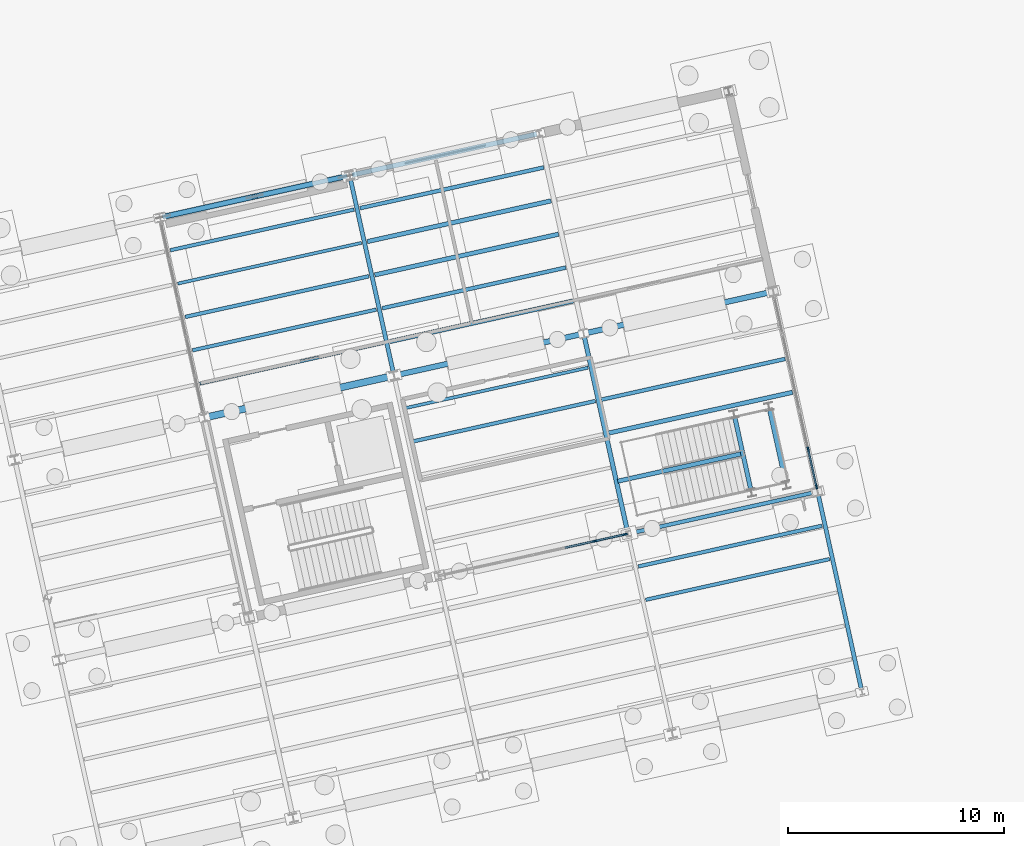
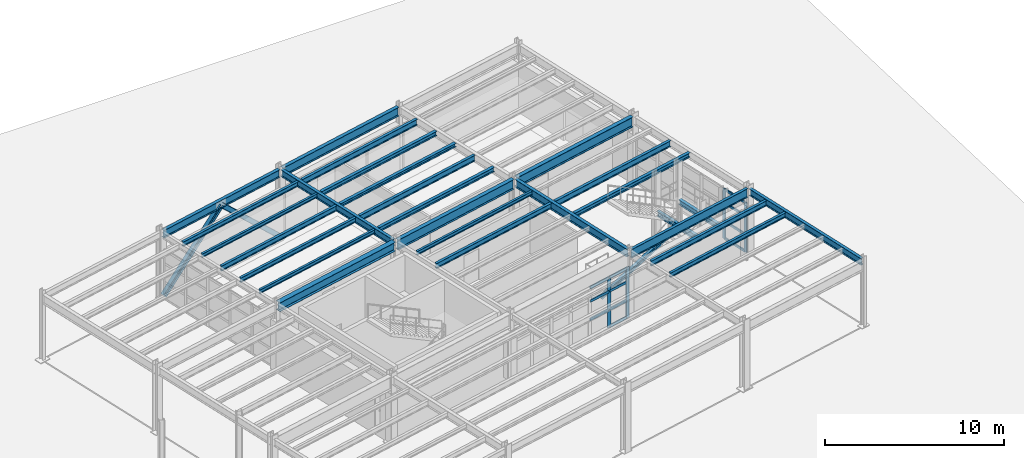
# One storey, part 58 of 108: 27 beams, 18 members, 2 elements without a shape of their own.
"""IFC4 building model written with IfcOpenShell, lengths in metres."""

from ifc_helpers import new_model, si_unit, direction, frame, origin, origin_2d, place, context, subcontext, project, spatial, rectangle, i_section, extrude, material, layer, layer_set, material_profile, profile_set, type_object, element, aggregate, save


model = new_model("IFC4")

# Units and contexts
model_context = context("Model", 3, precision=1e-05, world=origin(), true_north=direction((0.0, 1.0)))
body_context = subcontext(model_context, "Body", "Model", "MODEL_VIEW")
ifc_project = project(units=[si_unit("LENGTHUNIT", "METRE"), si_unit("AREAUNIT", "SQUARE_METRE"), si_unit("VOLUMEUNIT", "CUBIC_METRE"), si_unit("PLANEANGLEUNIT", "RADIAN"), si_unit("MASSUNIT", "GRAM", prefix="KILO")], contexts=[model_context])

# Site, building, storey
site_placement = place(None, origin())
site = spatial("IfcSite", under=ifc_project, at=site_placement, CompositionType="ELEMENT")
building_placement = place(site_placement, origin())
building = spatial("IfcBuilding", under=site, at=building_placement, Name="Vireo Bluff Cable Station", CompositionType="ELEMENT")
storey_placement = place(building_placement, origin())
storey = spatial("IfcBuildingStorey", under=building, at=storey_placement, Name="L00", CompositionType="ELEMENT", Elevation=0.0)

# Beams
ifc_material_1 = material(Name="Steel ASTM A992 Gr. 50", Category="steel")
ifc_material_profile_1 = material_profile(ifc_material_1, i_section(OverallWidth=0.2041015625, OverallDepth=0.35009765625, WebThickness=0.008544921875, FlangeThickness=0.01513671875, FilletRadius=0.010009765625, at=origin_2d()), Name="W14X48")
ifc_profile_set_1 = profile_set([ifc_material_profile_1], Name="Steel ASTM A992 Gr. 50")
beam_type_1 = type_object("IfcBeamType", Name="BM-W14X48", PredefinedType="BEAM", material=ifc_profile_set_1)
beam_1_placement = place(storey_placement, frame((155.9970703125, 91.159423828125, 2.02490234375), z_axis=(-0.216464522971, 0.976290484587, 0.0), x_axis=(-0.976290484587, -0.216464522971, 0.0)))
element("IfcBeam", 1, at=beam_1_placement, inside=storey, type_object=beam_type_1, Name="ST-09 L00 landing header beam N", PredefinedType="BEAM", context=body_context, shape_type="SweptSolid", body=[
    extrude(i_section(OverallWidth=0.2041015625, OverallDepth=0.35009765625, WebThickness=0.008544921875, FlangeThickness=0.01513671875, FilletRadius=0.010009765625, at=origin_2d()), origin(), (0.0, 0.0, 1.0), 3.43994140625),
])
beam_2_placement = place(storey_placement, frame((157.60791015625, 91.516357421875, 2.02490234375), z_axis=(-0.216381881536, 0.976308804294, 0.0), x_axis=(-0.976308804294, -0.216381881536, 0.0)))
element("IfcBeam", 2, at=beam_2_placement, inside=storey, type_object=beam_type_1, Name="ST-09 L00 landing header beam F", PredefinedType="BEAM", context=body_context, shape_type="SweptSolid", body=[
    extrude(i_section(OverallWidth=0.2041015625, OverallDepth=0.35009765625, WebThickness=0.008544921875, FlangeThickness=0.01513671875, FilletRadius=0.010009765625, at=origin_2d()), origin(), (0.0, 0.0, 1.0), 3.440185546875),
])
ifc_material_profile_2 = material_profile(ifc_material_1, i_section(OverallWidth=0.193115234375, OverallDepth=0.467041015625, WebThickness=0.011474609375, FlangeThickness=0.01904296875, FilletRadius=0.011962890625, at=origin_2d()), Name="W18X65")
ifc_profile_set_2 = profile_set([ifc_material_profile_2], Name="Steel ASTM A992 Gr. 50")
beam_type_2 = type_object("IfcBeamType", Name="BM-W18X65", PredefinedType="BEAM", material=ifc_profile_set_2)
beam_3_placement = place(storey_placement, frame((139.43505859375, 96.562744140625, 4.306396484375), z_axis=(-0.216455863908, 0.976292404447, 0.0), x_axis=(-0.976292404447, -0.216455863908, 0.0)))
element("IfcBeam", 3, at=beam_3_placement, inside=storey, type_object=beam_type_2, Name="V2 L00 beam 380", PredefinedType="BEAM", context=body_context, shape_type="SweptSolid", body=[
    extrude(i_section(OverallWidth=0.193115234375, OverallDepth=0.467041015625, WebThickness=0.011474609375, FlangeThickness=0.01904296875, FilletRadius=0.011962890625, at=origin_2d()), origin(), (0.0, 0.0, 1.0), 9.260009765625),
])
ifc_material_profile_3 = material_profile(ifc_material_1, i_section(OverallWidth=0.2099609375, OverallDepth=0.535888671875, WebThickness=0.010986328125, FlangeThickness=0.017333984375, FilletRadius=0.012939453125, at=origin_2d()), Name="W21X68")
ifc_profile_set_3 = profile_set([ifc_material_profile_3], Name="Steel ASTM A992 Gr. 50")
beam_type_3 = type_object("IfcBeamType", Name="BM-W21X68", PredefinedType="BEAM", material=ifc_profile_set_3)
beam_4_placement = place(storey_placement, frame((150.27783203125, 89.23583984375, 4.27197265625), z_axis=(-0.216430734067, 0.976297975698, 0.0), x_axis=(-0.976297975698, -0.216430734067, 0.0)))
element("IfcBeam", 4, at=beam_4_placement, inside=storey, type_object=beam_type_3, Name="V2 L00 beam 382", PredefinedType="BEAM", context=body_context, shape_type="SweptSolid", body=[
    extrude(i_section(OverallWidth=0.2099609375, OverallDepth=0.535888671875, WebThickness=0.010986328125, FlangeThickness=0.017333984375, FilletRadius=0.012939453125, at=origin_2d()), origin(), (0.0, 0.0, 1.0), 9.260009765625),
])

# Members
ifc_material_profile_4 = material_profile(ifc_material_1, i_section(OverallWidth=0.25390625, OverallDepth=0.305908203125, WebThickness=0.0087890625, FlangeThickness=0.0146484375, FilletRadius=0.010986328125, at=origin_2d()), Name="W12X53")
ifc_profile_set_4 = profile_set([ifc_material_profile_4], Name="Steel ASTM A992 Gr. 50")
member_type_1 = type_object("IfcMemberType", Name="BRC-04", PredefinedType="BRACE", material=ifc_profile_set_4)
member_1_placement = place(storey_placement, frame((128.7744140625, 103.80712890625, 0.0400390625), z_axis=(0.706436753261, 0.156592462679, 0.69023612936), x_axis=(-0.216412221259, 0.976302079528, 0.0)))
element("IfcMember", 5, at=member_1_placement, inside=storey, type_object=member_type_1, Name="V2 L00 concentric brace 27L", PredefinedType="BRACE", context=body_context, shape_type="SweptSolid", body=[
    extrude(i_section(OverallWidth=0.25390625, OverallDepth=0.305908203125, WebThickness=0.0087890625, FlangeThickness=0.0146484375, FilletRadius=0.010986328125, at=origin_2d()), origin(), (0.0, 0.0, 1.0), 5.997802734375),
])
ifc_material_profile_5 = material_profile(ifc_material_1, i_section(OverallWidth=0.25390625, OverallDepth=0.31005859375, WebThickness=0.009033203125, FlangeThickness=0.016357421875, FilletRadius=0.010986328125, at=origin_2d()), Name="W12X58")
ifc_profile_set_5 = profile_set([ifc_material_profile_5], Name="Steel ASTM A992 Gr. 50")
member_type_2 = type_object("IfcMemberType", Name="BRC-05", PredefinedType="BRACE", material=ifc_profile_set_5)
member_2_placement = place(storey_placement, frame((137.24853515625, 105.685791015625, 0.0400390625), z_axis=(-0.706432249814, -0.156632169247, 0.69023172919), x_axis=(0.216465840429, -0.976290192477, 0.0)))
element("IfcMember", 6, at=member_2_placement, inside=storey, type_object=member_type_2, Name="V2 L00 concentric brace 28R", PredefinedType="BRACE", context=body_context, shape_type="SweptSolid", body=[
    extrude(i_section(OverallWidth=0.25390625, OverallDepth=0.31005859375, WebThickness=0.009033203125, FlangeThickness=0.016357421875, FilletRadius=0.010986328125, at=origin_2d()), origin(), (0.0, 0.0, 1.0), 5.997802734375),
])

# Curtain wall, members
ifc_material_2 = material(Name="Anodized Aluminium 6063-T6", Category="aluminium")
ifc_layer_1 = layer(ifc_material_2, 0.159912109375, Name="Anodized Aluminium 6063-T6")
ifc_layer_set_1 = layer_set([ifc_layer_1], Name="Anodized Aluminium 6063-T6")
curtain_wall_type_1 = type_object("IfcCurtainWallType", Name="CW-STICK-1850", PredefinedType="USERDEFINED", material=ifc_layer_set_1)
curtain_wall_1_placement = place(storey_placement, origin())
curtain_wall_1 = element("IfcCurtainWall", 7, at=curtain_wall_1_placement, inside=storey, type_object=curtain_wall_type_1, Name="V2 L00 east curtain wall CW-041", ObjectType="STICK CURTAIN WALL", PredefinedType="USERDEFINED")
ifc_material_profile_6 = material_profile(ifc_material_2, rectangle(XDim=0.074951171875, YDim=0.2099609375, at=origin_2d()), Name="ALU-M-75X210")
ifc_profile_set_6 = profile_set([ifc_material_profile_6], Name="Anodized Aluminium 6063-T6")
member_type_3 = type_object("IfcMemberType", Name="CWM-02", PredefinedType="MULLION", material=ifc_profile_set_6)
member_3_placement = place(storey_placement, frame((158.653076171875, 93.03955078125, 0.0), z_axis=(0.0, 0.0, 1.0), x_axis=(0.976296012171, 0.216439591156, 0.0)))
member_3 = element("IfcMember", 8, at=member_3_placement, type_object=member_type_3, Name="CW-041 mullion 5", PredefinedType="MULLION", context=body_context, shape_type="SweptSolid", body=[
    extrude(rectangle(XDim=0.074951171875, YDim=0.2099609375, at=origin_2d()), origin(), (0.0, 0.0, 1.0), 3.39990234375),
])
member_4_placement = place(storey_placement, frame((159.038818359375, 91.300048828125, 0.0), z_axis=(0.0, 0.0, 1.0), x_axis=(0.976296012171, 0.216439591156, 0.0)))
member_4 = element("IfcMember", 9, at=member_4_placement, type_object=member_type_3, Name="CW-041 mullion 6", PredefinedType="MULLION", context=body_context, shape_type="SweptSolid", body=[
    extrude(rectangle(XDim=0.074951171875, YDim=0.2099609375, at=origin_2d()), origin(), (0.0, 0.0, 1.0), 3.39990234375),
])

ifc_layer_2 = layer(ifc_material_2, 0.179931640625, Name="Anodized Aluminium 6063-T6")
ifc_layer_set_2 = layer_set([ifc_layer_2], Name="Anodized Aluminium 6063-T6")
curtain_wall_type_2 = type_object("IfcCurtainWallType", Name="CW-UNIT-1400", PredefinedType="USERDEFINED", material=ifc_layer_set_2)
curtain_wall_2_placement = place(storey_placement, origin())
curtain_wall_2 = element("IfcCurtainWall", 10, at=curtain_wall_2_placement, inside=storey, type_object=curtain_wall_type_2, Name="V2 L00 south curtain wall CW-039", ObjectType="UNITISED CURTAIN WALL", PredefinedType="USERDEFINED")
ifc_material_profile_7 = material_profile(ifc_material_2, rectangle(XDim=0.080078125, YDim=0.239990234375, at=origin_2d()), Name="ALU-M-80X240")
ifc_profile_set_7 = profile_set([ifc_material_profile_7], Name="Anodized Aluminium 6063-T6")
member_type_4 = type_object("IfcMemberType", Name="CWM-04", PredefinedType="MULLION", material=ifc_profile_set_7)
member_5_placement = place(storey_placement, frame((150.163330078125, 89.08740234375, 0.0), z_axis=(0.0, 0.0, 1.0), x_axis=(0.216439605844, -0.976296008914, 0.0)))
member_5 = element("IfcMember", 11, at=member_5_placement, type_object=member_type_4, Name="CW-039 mullion 1", PredefinedType="MULLION", context=body_context, shape_type="SweptSolid", body=[
    extrude(rectangle(XDim=0.080078125, YDim=0.239990234375, at=origin_2d()), origin(), (0.0, 0.0, 1.0), 3.39990234375),
])
member_6_placement = place(storey_placement, frame((148.775634765625, 88.780029296875, 0.0), z_axis=(0.0, 0.0, 1.0), x_axis=(0.216439605844, -0.976296008914, 0.0)))
member_6 = element("IfcMember", 12, at=member_6_placement, type_object=member_type_4, Name="CW-039 mullion 2", PredefinedType="MULLION", context=body_context, shape_type="SweptSolid", body=[
    extrude(rectangle(XDim=0.080078125, YDim=0.239990234375, at=origin_2d()), origin(), (0.0, 0.0, 1.0), 3.39990234375),
])

# Member
ifc_material_profile_8 = material_profile(ifc_material_2, rectangle(XDim=0.074951171875, YDim=0.159912109375, at=origin_2d()), Name="ALU-T-75X160")
ifc_profile_set_8 = profile_set([ifc_material_profile_8], Name="Anodized Aluminium 6063-T6")
member_type_5 = type_object("IfcMemberType", Name="CWT-02", PredefinedType="USERDEFINED", material=ifc_profile_set_8)
member_7_placement = place(storey_placement, frame((158.6611328125, 93.0029296875, 0.03759765625), z_axis=(0.216430605195, -0.976298004267, 0.0), x_axis=(0.976298004267, 0.216430605195, 0.0)))
member_7 = element("IfcMember", 13, at=member_7_placement, type_object=member_type_5, Name="CW-041 transom 5.1", ObjectType="TRANSOM", PredefinedType="USERDEFINED", context=body_context, shape_type="SweptSolid", body=[
    extrude(rectangle(XDim=0.074951171875, YDim=0.159912109375, at=origin_2d()), origin(), (0.0, 0.0, 1.0), 1.706787109375),
])

member_8_placement = place(storey_placement, frame((158.6611328125, 93.0029296875, 1.18994140625), z_axis=(0.216430605195, -0.976298004267, 0.0), x_axis=(0.976298004267, 0.216430605195, 0.0)))
member_8 = element("IfcMember", 14, at=member_8_placement, type_object=member_type_5, Name="CW-041 transom 5.2", ObjectType="TRANSOM", PredefinedType="USERDEFINED", context=body_context, shape_type="SweptSolid", body=[
    extrude(rectangle(XDim=0.074951171875, YDim=0.159912109375, at=origin_2d()), origin(), (0.0, 0.0, 1.0), 1.706787109375),
])

member_9_placement = place(storey_placement, frame((158.6611328125, 93.0029296875, 2.447998046875), z_axis=(0.216430605195, -0.976298004267, 0.0), x_axis=(0.976298004267, 0.216430605195, 0.0)))
member_9 = element("IfcMember", 15, at=member_9_placement, type_object=member_type_5, Name="CW-041 transom 5.3", ObjectType="TRANSOM", PredefinedType="USERDEFINED", context=body_context, shape_type="SweptSolid", body=[
    extrude(rectangle(XDim=0.074951171875, YDim=0.159912109375, at=origin_2d()), origin(), (0.0, 0.0, 1.0), 1.706787109375),
])

member_10_placement = place(storey_placement, frame((158.6611328125, 93.0029296875, 3.362548828125), z_axis=(0.216430605195, -0.976298004267, 0.0), x_axis=(0.976298004267, 0.216430605195, 0.0)))
member_10 = element("IfcMember", 16, at=member_10_placement, type_object=member_type_5, Name="CW-041 transom 5.4", ObjectType="TRANSOM", PredefinedType="USERDEFINED", context=body_context, shape_type="SweptSolid", body=[
    extrude(rectangle(XDim=0.074951171875, YDim=0.159912109375, at=origin_2d()), origin(), (0.0, 0.0, 1.0), 1.706787109375),
])

aggregate(curtain_wall_1, [member_3, member_4, member_7, member_8, member_9, member_10])

ifc_material_profile_9 = material_profile(ifc_material_2, rectangle(XDim=0.080078125, YDim=0.175048828125, at=origin_2d()), Name="ALU-T-80X175")
ifc_profile_set_9 = profile_set([ifc_material_profile_9], Name="Anodized Aluminium 6063-T6")
member_type_6 = type_object("IfcMemberType", Name="CWT-04", PredefinedType="USERDEFINED", material=ifc_profile_set_9)
member_11_placement = place(storey_placement, frame((150.124267578125, 89.078857421875, 0.0400390625), z_axis=(-0.976302551498, -0.216410092045, 0.0), x_axis=(0.216410092045, -0.976302551498, 0.0)))
member_11 = element("IfcMember", 17, at=member_11_placement, type_object=member_type_6, Name="CW-039 transom 1.1", ObjectType="TRANSOM", PredefinedType="USERDEFINED", context=body_context, shape_type="SweptSolid", body=[
    extrude(rectangle(XDim=0.080078125, YDim=0.175048828125, at=origin_2d()), origin(), (0.0, 0.0, 1.0), 1.34130859375),
])

member_12_placement = place(storey_placement, frame((150.124267578125, 89.078857421875, 1.18994140625), z_axis=(-0.976302551498, -0.216410092045, 0.0), x_axis=(0.216410092045, -0.976302551498, 0.0)))
member_12 = element("IfcMember", 18, at=member_12_placement, type_object=member_type_6, Name="CW-039 transom 1.2", ObjectType="TRANSOM", PredefinedType="USERDEFINED", context=body_context, shape_type="SweptSolid", body=[
    extrude(rectangle(XDim=0.080078125, YDim=0.175048828125, at=origin_2d()), origin(), (0.0, 0.0, 1.0), 1.34130859375),
])

member_13_placement = place(storey_placement, frame((150.124267578125, 89.078857421875, 2.447998046875), z_axis=(-0.976302551498, -0.216410092045, 0.0), x_axis=(0.216410092045, -0.976302551498, 0.0)))
member_13 = element("IfcMember", 19, at=member_13_placement, type_object=member_type_6, Name="CW-039 transom 1.3", ObjectType="TRANSOM", PredefinedType="USERDEFINED", context=body_context, shape_type="SweptSolid", body=[
    extrude(rectangle(XDim=0.080078125, YDim=0.175048828125, at=origin_2d()), origin(), (0.0, 0.0, 1.0), 1.34130859375),
])

member_14_placement = place(storey_placement, frame((150.124267578125, 89.078857421875, 3.360107421875), z_axis=(-0.976302551498, -0.216410092045, 0.0), x_axis=(0.216410092045, -0.976302551498, 0.0)))
member_14 = element("IfcMember", 20, at=member_14_placement, type_object=member_type_6, Name="CW-039 transom 1.4", ObjectType="TRANSOM", PredefinedType="USERDEFINED", context=body_context, shape_type="SweptSolid", body=[
    extrude(rectangle(XDim=0.080078125, YDim=0.175048828125, at=origin_2d()), origin(), (0.0, 0.0, 1.0), 1.34130859375),
])

member_15_placement = place(storey_placement, frame((148.73681640625, 88.771240234375, 1.18994140625), z_axis=(-0.976319952444, -0.21633157527, 0.0), x_axis=(0.21633157527, -0.976319952444, 0.0)))
member_15 = element("IfcMember", 21, at=member_15_placement, type_object=member_type_6, Name="CW-039 transom 2.2", ObjectType="TRANSOM", PredefinedType="USERDEFINED", context=body_context, shape_type="SweptSolid", body=[
    extrude(rectangle(XDim=0.080078125, YDim=0.175048828125, at=origin_2d()), origin(), (0.0, 0.0, 1.0), 1.38134765625),
])

member_16_placement = place(storey_placement, frame((148.73681640625, 88.771240234375, 2.447998046875), z_axis=(-0.976319952444, -0.21633157527, 0.0), x_axis=(0.21633157527, -0.976319952444, 0.0)))
member_16 = element("IfcMember", 22, at=member_16_placement, type_object=member_type_6, Name="CW-039 transom 2.3", ObjectType="TRANSOM", PredefinedType="USERDEFINED", context=body_context, shape_type="SweptSolid", body=[
    extrude(rectangle(XDim=0.080078125, YDim=0.175048828125, at=origin_2d()), origin(), (0.0, 0.0, 1.0), 1.38134765625),
])

member_17_placement = place(storey_placement, frame((148.73681640625, 88.771240234375, 3.360107421875), z_axis=(-0.976319952444, -0.21633157527, 0.0), x_axis=(0.21633157527, -0.976319952444, 0.0)))
member_17 = element("IfcMember", 23, at=member_17_placement, type_object=member_type_6, Name="CW-039 transom 2.4", ObjectType="TRANSOM", PredefinedType="USERDEFINED", context=body_context, shape_type="SweptSolid", body=[
    extrude(rectangle(XDim=0.080078125, YDim=0.175048828125, at=origin_2d()), origin(), (0.0, 0.0, 1.0), 1.38134765625),
])

aggregate(curtain_wall_2, [member_5, member_6, member_11, member_12, member_13, member_14, member_15, member_16, member_17])

# Beams
ifc_material_profile_10 = material_profile(ifc_material_1, i_section(OverallWidth=0.324951171875, OverallDepth=0.612060546875, WebThickness=0.0126953125, FlangeThickness=0.01904296875, FilletRadius=0.012939453125, at=origin_2d()), Name="W24X104")
ifc_profile_set_10 = profile_set([ifc_material_profile_10], Name="Steel ASTM A992 Gr. 50")
beam_type_4 = type_object("IfcBeamType", Name="GIR-W24X104", PredefinedType="USERDEFINED", material=ifc_profile_set_10)
beam_5_placement = place(storey_placement, frame((130.79150390625, 94.5234375, 4.23388671875), z_axis=(0.976289905703, 0.216467133817, 0.0), x_axis=(-0.216467133817, 0.976289905703, 0.0)))
element("IfcBeam", 24, at=beam_5_placement, inside=storey, type_object=beam_type_4, Name="V2 L00 girder 365", ObjectType="GIRDER", PredefinedType="USERDEFINED", context=body_context, shape_type="SweptSolid", body=[
    extrude(i_section(OverallWidth=0.324951171875, OverallDepth=0.612060546875, WebThickness=0.0126953125, FlangeThickness=0.01904296875, FilletRadius=0.012939453125, at=origin_2d()), origin(), (0.0, 0.0, 1.0), 8.760009765625),
])
ifc_material_profile_11 = material_profile(ifc_material_1, i_section(OverallWidth=0.178955078125, OverallDepth=0.60302734375, WebThickness=0.010986328125, FlangeThickness=0.014892578125, FilletRadius=0.012939453125, at=origin_2d()), Name="W24X62")
ifc_profile_set_11 = profile_set([ifc_material_profile_11], Name="Steel ASTM A992 Gr. 50")
beam_type_5 = type_object("IfcBeamType", Name="GIR-W24X62", PredefinedType="USERDEFINED", material=ifc_profile_set_11)
beam_6_placement = place(storey_placement, frame((150.4208984375, 89.144775390625, 4.238525390625), z_axis=(0.97629710087, 0.216434680293, 0.0), x_axis=(-0.216434680293, 0.97629710087, 0.0)))
element("IfcBeam", 25, at=beam_6_placement, inside=storey, type_object=beam_type_5, Name="V2 L00 girder 363", ObjectType="GIRDER", PredefinedType="USERDEFINED", context=body_context, shape_type="SweptSolid", body=[
    extrude(i_section(OverallWidth=0.178955078125, OverallDepth=0.60302734375, WebThickness=0.010986328125, FlangeThickness=0.014892578125, FilletRadius=0.012939453125, at=origin_2d()), origin(), (0.0, 0.0, 1.0), 8.760009765625),
])
ifc_material_profile_12 = material_profile(ifc_material_1, i_section(OverallWidth=0.257080078125, OverallDepth=0.693115234375, WebThickness=0.014404296875, FlangeThickness=0.023681640625, FilletRadius=0.014892578125, at=origin_2d()), Name="W27X114")
ifc_profile_set_12 = profile_set([ifc_material_profile_12], Name="Steel ASTM A992 Gr. 50")
beam_type_6 = type_object("IfcBeamType", Name="GIR-W27X114", PredefinedType="USERDEFINED", material=ifc_profile_set_12)
beam_7_placement = place(storey_placement, frame((148.36474609375, 98.41943359375, 4.193603515625), z_axis=(0.97629710087, 0.216434680293, 0.0), x_axis=(-0.216434680293, 0.97629710087, 0.0)))
element("IfcBeam", 26, at=beam_7_placement, inside=storey, type_object=beam_type_6, Name="V2 L00 girder 367", ObjectType="GIRDER", PredefinedType="USERDEFINED", context=body_context, shape_type="SweptSolid", body=[
    extrude(i_section(OverallWidth=0.257080078125, OverallDepth=0.693115234375, WebThickness=0.014404296875, FlangeThickness=0.023681640625, FilletRadius=0.014892578125, at=origin_2d()), origin(), (0.0, 0.0, 1.0), 8.760009765625),
])
ifc_material_profile_13 = material_profile(ifc_material_1, i_section(OverallWidth=0.2529296875, OverallDepth=0.677978515625, WebThickness=0.01171875, FlangeThickness=0.016357421875, FilletRadius=0.014892578125, at=origin_2d()), Name="W27X84")
ifc_profile_set_13 = profile_set([ifc_material_profile_13], Name="Steel ASTM A992 Gr. 50")
beam_type_7 = type_object("IfcBeamType", Name="GIR-W27X84", PredefinedType="USERDEFINED", material=ifc_profile_set_13)
beam_8_placement = place(storey_placement, frame((139.578125, 96.471435546875, 4.200927734375), z_axis=(0.976295795297, 0.216440569406, 0.0), x_axis=(-0.216440569406, 0.976295795297, 0.0)))
element("IfcBeam", 27, at=beam_8_placement, inside=storey, type_object=beam_type_7, Name="V2 L00 girder 366", ObjectType="GIRDER", PredefinedType="USERDEFINED", context=body_context, shape_type="SweptSolid", body=[
    extrude(i_section(OverallWidth=0.2529296875, OverallDepth=0.677978515625, WebThickness=0.01171875, FlangeThickness=0.016357421875, FilletRadius=0.014892578125, at=origin_2d()), origin(), (0.0, 0.0, 1.0), 8.760009765625),
])
ifc_material_profile_14 = material_profile(ifc_material_1, i_section(OverallWidth=0.14599609375, OverallDepth=0.259033203125, WebThickness=0.006103515625, FlangeThickness=0.009033203125, FilletRadius=0.009033203125, at=origin_2d()), Name="W10X22")
ifc_profile_set_14 = profile_set([ifc_material_profile_14], Name="Steel ASTM A992 Gr. 50")
beam_type_8 = type_object("IfcBeamType", Name="JST-W10X22", PredefinedType="JOIST", material=ifc_profile_set_14)
for number, where, z_axis, x_axis, name in (
    (28, (130.46826171875, 96.07373046875, 4.410400390625), (0.976300234484, 0.216420544652, 0.0), (-0.216420544652, 0.976300234484, 0.0), "V2 L00 composite joist 407"),
    (29, (129.440185546875, 100.711181640625, 4.410400390625), (0.976300234484, 0.216420544652, 0.0), (-0.216420544652, 0.976300234484, 0.0), "V2 L00 composite joist 410"),
    (30, (139.9404296875, 94.929931640625, 4.410400390625), (0.976293006815, 0.216453146994, 0.0), (-0.216453146994, 0.976293006815, 0.0), "V2 L00 composite joist 421"),
):
    element("IfcBeam", number, at=place(storey_placement, frame(where, z_axis=z_axis, x_axis=x_axis)), inside=storey, type_object=beam_type_8, Name=name, PredefinedType="JOIST", context=body_context, shape_type="SweptSolid", body=[
        extrude(i_section(OverallWidth=0.14599609375, OverallDepth=0.259033203125, WebThickness=0.006103515625, FlangeThickness=0.009033203125, FilletRadius=0.009033203125, at=origin_2d()), origin(), (0.0, 0.0, 1.0), 8.719970703125),
    ])
ifc_material_profile_15 = material_profile(ifc_material_1, i_section(OverallWidth=0.201904296875, OverallDepth=0.2470703125, WebThickness=0.00732421875, FlangeThickness=0.010986328125, FilletRadius=0.009033203125, at=origin_2d()), Name="W10X33")
ifc_profile_set_15 = profile_set([ifc_material_profile_15], Name="Steel ASTM A992 Gr. 50")
beam_type_9 = type_object("IfcBeamType", Name="JST-W10X33", PredefinedType="JOIST", material=ifc_profile_set_15)
beam_9_placement = place(storey_placement, frame((138.569580078125, 101.11328125, 4.41650390625), z_axis=(0.976298923088, 0.216426460438, 0.0), x_axis=(-0.216426460438, 0.976298923088, 0.0)))
element("IfcBeam", 31, at=beam_9_placement, inside=storey, type_object=beam_type_9, Name="V2 L00 composite joist 424", PredefinedType="JOIST", context=body_context, shape_type="SweptSolid", body=[
    extrude(i_section(OverallWidth=0.201904296875, OverallDepth=0.2470703125, WebThickness=0.00732421875, FlangeThickness=0.010986328125, FilletRadius=0.009033203125, at=origin_2d()), origin(), (0.0, 0.0, 1.0), 8.719970703125),
])
ifc_material_profile_16 = material_profile(ifc_material_1, i_section(OverallWidth=0.1650390625, OverallDepth=0.31005859375, WebThickness=0.005859375, FlangeThickness=0.009765625, FilletRadius=0.010009765625, at=origin_2d()), Name="W12X26")
ifc_profile_set_16 = profile_set([ifc_material_profile_16], Name="Steel ASTM A992 Gr. 50")
beam_type_10 = type_object("IfcBeamType", Name="JST-W12X26", PredefinedType="JOIST", material=ifc_profile_set_16)
for number, where, z_axis, x_axis, name in (
    (32, (130.12548828125, 97.619384765625, 4.385009765625), (0.976294318526, 0.216447230551, 0.0), (-0.216447230551, 0.976294318526, 0.0), "V2 L00 composite joist 408"),
    (33, (129.097412109375, 102.2568359375, 4.385009765625), (0.976294318526, 0.216447230551, 0.0), (-0.216447230551, 0.976294318526, 0.0), "V2 L00 composite joist 411"),
):
    element("IfcBeam", number, at=place(storey_placement, frame(where, z_axis=z_axis, x_axis=x_axis)), inside=storey, type_object=beam_type_10, Name=name, PredefinedType="JOIST", context=body_context, shape_type="SweptSolid", body=[
        extrude(i_section(OverallWidth=0.1650390625, OverallDepth=0.31005859375, WebThickness=0.005859375, FlangeThickness=0.009765625, FilletRadius=0.010009765625, at=origin_2d()), origin(), (0.0, 0.0, 1.0), 8.72021484375),
    ])
beam_10_placement = place(storey_placement, frame((151.1259765625, 86.057373046875, 4.385009765625), z_axis=(0.976293006815, 0.216453146994, 0.0), x_axis=(-0.216453146994, 0.976293006815, 0.0)))
element("IfcBeam", 34, at=beam_10_placement, inside=storey, type_object=beam_type_10, Name="V2 L00 composite joist 430", PredefinedType="JOIST", context=body_context, shape_type="SweptSolid", body=[
    extrude(i_section(OverallWidth=0.1650390625, OverallDepth=0.31005859375, WebThickness=0.005859375, FlangeThickness=0.009765625, FilletRadius=0.010009765625, at=origin_2d()), origin(), (0.0, 0.0, 1.0), 8.719970703125),
])
ifc_material_profile_17 = material_profile(ifc_material_1, i_section(OverallWidth=0.202880859375, OverallDepth=0.302978515625, WebThickness=0.007568359375, FlangeThickness=0.01318359375, FilletRadius=0.010009765625, at=origin_2d()), Name="W12X40")
ifc_profile_set_17 = profile_set([ifc_material_profile_17], Name="Steel ASTM A992 Gr. 50")
beam_type_11 = type_object("IfcBeamType", Name="JST-W12X40", PredefinedType="JOIST", material=ifc_profile_set_17)
beam_11_placement = place(storey_placement, frame((139.2548828125, 98.021728515625, 4.388427734375), z_axis=(0.976300234484, 0.216420544652, 0.0), x_axis=(-0.216420544652, 0.976300234484, 0.0)))
element("IfcBeam", 35, at=beam_11_placement, inside=storey, type_object=beam_type_11, Name="V2 L00 composite joist 422", PredefinedType="JOIST", context=body_context, shape_type="SweptSolid", body=[
    extrude(i_section(OverallWidth=0.202880859375, OverallDepth=0.302978515625, WebThickness=0.007568359375, FlangeThickness=0.01318359375, FilletRadius=0.010009765625, at=origin_2d()), origin(), (0.0, 0.0, 1.0), 8.719970703125),
])
for number, where, z_axis, x_axis, name in (
    (36, (138.226806640625, 102.658935546875, 4.388427734375), (0.976294318526, 0.216447230551, 0.0), (-0.216447230551, 0.976294318526, 0.0), "V2 L00 composite joist 425"),
    (37, (149.412353515625, 93.786376953125, 4.388427734375), (0.976294318526, 0.216447230551, 0.0), (-0.216447230551, 0.976294318526, 0.0), "V2 L00 composite joist 432"),
):
    element("IfcBeam", number, at=place(storey_placement, frame(where, z_axis=z_axis, x_axis=x_axis)), inside=storey, type_object=beam_type_11, Name=name, PredefinedType="JOIST", context=body_context, shape_type="SweptSolid", body=[
        extrude(i_section(OverallWidth=0.202880859375, OverallDepth=0.302978515625, WebThickness=0.007568359375, FlangeThickness=0.01318359375, FilletRadius=0.010009765625, at=origin_2d()), origin(), (0.0, 0.0, 1.0), 8.72021484375),
    ])
ifc_material_profile_18 = material_profile(ifc_material_1, i_section(OverallWidth=0.1708984375, OverallDepth=0.35107421875, WebThickness=0.0068359375, FlangeThickness=0.009765625, FilletRadius=0.010009765625, at=origin_2d()), Name="W14X30")
ifc_profile_set_18 = profile_set([ifc_material_profile_18], Name="Steel ASTM A992 Gr. 50")
beam_type_12 = type_object("IfcBeamType", Name="JST-W14X30", PredefinedType="JOIST", material=ifc_profile_set_18)
for number, where, z_axis, x_axis, name in (
    (38, (129.782958984375, 99.165283203125, 4.364501953125), (0.976293006815, 0.216453146994, 0.0), (-0.216453146994, 0.976293006815, 0.0), "V2 L00 composite joist 409"),
    (39, (140.282958984375, 93.38427734375, 4.364501953125), (0.976300234484, 0.216420544652, 0.0), (-0.216420544652, 0.976300234484, 0.0), "V2 L00 composite joist 420"),
    (40, (150.783203125, 87.603271484375, 4.364501953125), (0.976298923088, 0.216426460438, 0.0), (-0.216426460438, 0.976298923088, 0.0), "V2 L00 composite joist 431"),
):
    element("IfcBeam", number, at=place(storey_placement, frame(where, z_axis=z_axis, x_axis=x_axis)), inside=storey, type_object=beam_type_12, Name=name, PredefinedType="JOIST", context=body_context, shape_type="SweptSolid", body=[
        extrude(i_section(OverallWidth=0.1708984375, OverallDepth=0.35107421875, WebThickness=0.0068359375, FlangeThickness=0.009765625, FilletRadius=0.010009765625, at=origin_2d()), origin(), (0.0, 0.0, 1.0), 8.719970703125),
    ])
ifc_material_profile_19 = material_profile(ifc_material_1, i_section(OverallWidth=0.177978515625, OverallDepth=0.404052734375, WebThickness=0.007568359375, FlangeThickness=0.010986328125, FilletRadius=0.010009765625, at=origin_2d()), Name="W16X36")
ifc_profile_set_19 = profile_set([ifc_material_profile_19], Name="Steel ASTM A992 Gr. 50")
beam_type_13 = type_object("IfcBeamType", Name="JST-W16X36", PredefinedType="JOIST", material=ifc_profile_set_19)
for number, where, z_axis, x_axis, name in (
    (41, (138.912353515625, 99.5673828125, 4.337890625), (0.976293006815, 0.216453146994, 0.0), (-0.216453146994, 0.976293006815, 0.0), "V2 L00 composite joist 423"),
    (42, (137.88427734375, 104.204833984375, 4.337890625), (0.976293006815, 0.216453146994, 0.0), (-0.216453146994, 0.976293006815, 0.0), "V2 L00 composite joist 426"),
    (43, (149.06982421875, 95.332275390625, 4.337890625), (0.976298923088, 0.216426460438, 0.0), (-0.216426460438, 0.976298923088, 0.0), "V2 L00 composite joist 433"),
):
    element("IfcBeam", number, at=place(storey_placement, frame(where, z_axis=z_axis, x_axis=x_axis)), inside=storey, type_object=beam_type_13, Name=name, PredefinedType="JOIST", context=body_context, shape_type="SweptSolid", body=[
        extrude(i_section(OverallWidth=0.177978515625, OverallDepth=0.404052734375, WebThickness=0.007568359375, FlangeThickness=0.010986328125, FilletRadius=0.010009765625, at=origin_2d()), origin(), (0.0, 0.0, 1.0), 8.719970703125),
    ])
ifc_material_profile_20 = material_profile(ifc_material_1, i_section(OverallWidth=0.19091796875, OverallDepth=0.45703125, WebThickness=0.009033203125, FlangeThickness=0.014404296875, FilletRadius=0.011962890625, at=origin_2d()), Name="W18X50")
ifc_profile_set_20 = profile_set([ifc_material_profile_20], Name="Steel ASTM A992 Gr. 50")
beam_type_14 = type_object("IfcBeamType", Name="SPN-W18X50", PredefinedType="SPANDREL", material=ifc_profile_set_20)
beam_12_placement = place(storey_placement, frame((161.12060546875, 81.908935546875, 4.3115234375), z_axis=(-0.216430734067, 0.976297975698, 0.0), x_axis=(-0.976297975698, -0.216430734067, 0.0)))
element("IfcBeam", 44, at=beam_12_placement, inside=storey, type_object=beam_type_14, Name="V2 L00 spandrel 384", PredefinedType="SPANDREL", context=body_context, shape_type="SweptSolid", body=[
    extrude(i_section(OverallWidth=0.19091796875, OverallDepth=0.45703125, WebThickness=0.009033203125, FlangeThickness=0.014404296875, FilletRadius=0.011962890625, at=origin_2d()), origin(), (0.0, 0.0, 1.0), 9.260009765625),
])
ifc_material_profile_21 = material_profile(ifc_material_1, i_section(OverallWidth=0.2099609375, OverallDepth=0.535888671875, WebThickness=0.010986328125, FlangeThickness=0.017333984375, FilletRadius=0.012939453125, at=origin_2d()), Name="W21X68")
ifc_profile_set_21 = profile_set([ifc_material_profile_21], Name="Steel ASTM A992 Gr. 50")
beam_type_15 = type_object("IfcBeamType", Name="SPN-W21X68", PredefinedType="SPANDREL", material=ifc_profile_set_21)
beam_13_placement = place(storey_placement, frame((128.7353515625, 103.79833984375, 4.27197265625), z_axis=(0.976295795297, 0.216440569406, 0.0), x_axis=(-0.216440569406, 0.976295795297, 0.0)))
element("IfcBeam", 45, at=beam_13_placement, inside=storey, type_object=beam_type_15, Name="V2 L00 spandrel 369", PredefinedType="SPANDREL", context=body_context, shape_type="SweptSolid", body=[
    extrude(i_section(OverallWidth=0.2099609375, OverallDepth=0.535888671875, WebThickness=0.010986328125, FlangeThickness=0.017333984375, FilletRadius=0.012939453125, at=origin_2d()), origin(), (0.0, 0.0, 1.0), 8.760009765625),
])
ifc_material_profile_22 = material_profile(ifc_material_1, i_section(OverallWidth=0.22802734375, OverallDepth=0.60693359375, WebThickness=0.01123046875, FlangeThickness=0.017333984375, FilletRadius=0.012939453125, at=origin_2d()), Name="W24X76")
ifc_profile_set_22 = profile_set([ifc_material_profile_22], Name="Steel ASTM A992 Gr. 50")
beam_type_16 = type_object("IfcBeamType", Name="SPN-W24X76", PredefinedType="SPANDREL", material=ifc_profile_set_22)
beam_14_placement = place(storey_placement, frame((137.52197265625, 105.746337890625, 4.236572265625), z_axis=(0.976295795297, 0.216440569406, 0.0), x_axis=(-0.216440569406, 0.976295795297, 0.0)))
element("IfcBeam", 46, at=beam_14_placement, inside=storey, type_object=beam_type_16, Name="V2 L00 spandrel 370", PredefinedType="SPANDREL", context=body_context, shape_type="SweptSolid", body=[
    extrude(i_section(OverallWidth=0.22802734375, OverallDepth=0.60693359375, WebThickness=0.01123046875, FlangeThickness=0.017333984375, FilletRadius=0.012939453125, at=origin_2d()), origin(), (0.0, 0.0, 1.0), 8.760009765625),
])

# Member
ifc_material_profile_23 = material_profile(ifc_material_1, i_section(OverallWidth=0.201904296875, OverallDepth=0.2470703125, WebThickness=0.00732421875, FlangeThickness=0.010986328125, FilletRadius=0.009033203125, at=origin_2d()), Name="W10X33")
ifc_profile_set_23 = profile_set([ifc_material_profile_23], Name="Steel ASTM A992 Gr. 50")
member_type_7 = type_object("IfcMemberType", Name="STRINGER-01", PredefinedType="STRINGER", material=ifc_profile_set_23)
member_18_placement = place(storey_placement, frame((149.86474609375, 91.5615234375, -0.050048828125), z_axis=(0.920128895154, 0.203983604081, 0.334295536268), x_axis=(-0.216435506976, 0.976296917602, 0.0)))
element("IfcMember", 47, at=member_18_placement, inside=storey, type_object=member_type_7, Name="ST-09 L00 steel stair stringer", PredefinedType="STRINGER", context=body_context, shape_type="SweptSolid", body=[
    extrude(i_section(OverallWidth=0.201904296875, OverallDepth=0.2470703125, WebThickness=0.00732421875, FlangeThickness=0.010986328125, FilletRadius=0.009033203125, at=origin_2d()), origin(), (0.0, 0.0, 1.0), 6.20703125),
])

save(model, "model.ifc")
